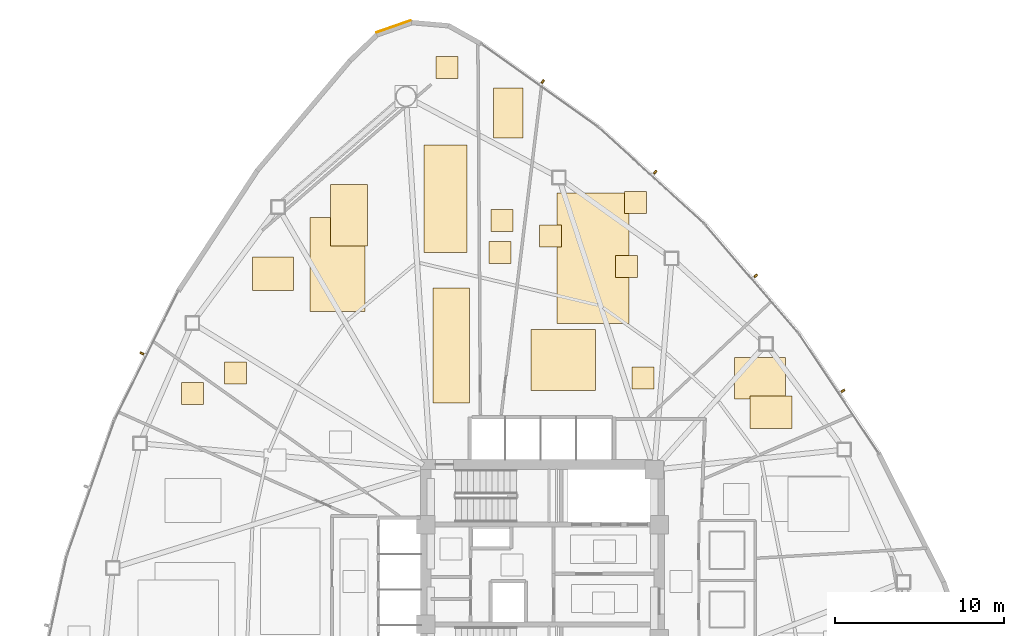
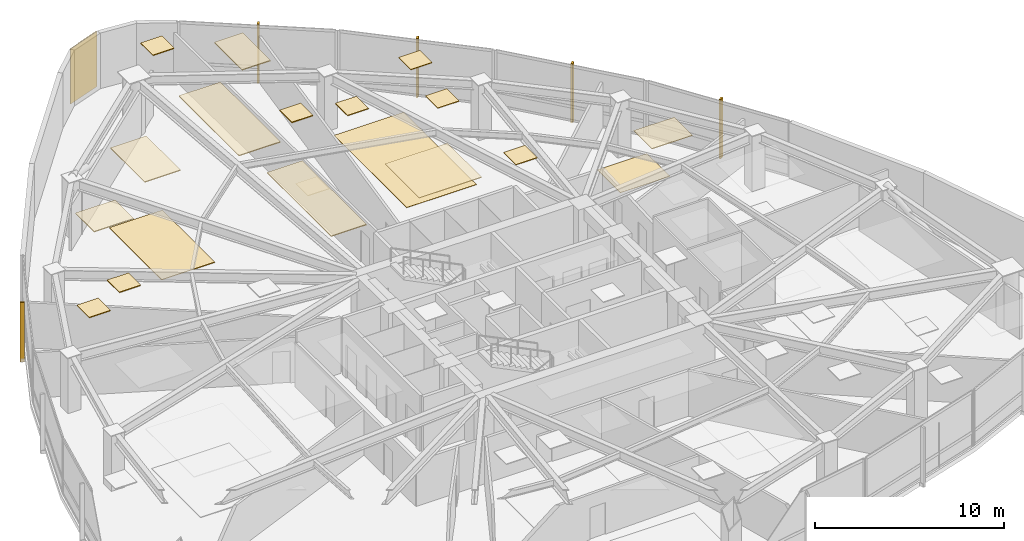
# One storey, part 18 of 18: 20 coverings, 5 shading devices.
"""IFC4 building model written with IfcOpenShell, lengths in metres."""

from ifc_helpers import new_model, si_unit, direction, frame, origin, origin_2d, place, context, subcontext, project, spatial, polyline, rectangle, outline, extrude, source, transform, mapped, material, layer, layer_set, type_object, type_shapes, element, save


model = new_model("IFC4")

# Units and contexts
model_context = context("Model", 3, precision=1e-05, world=origin(), true_north=direction((0.0, 1.0)))
body_context = subcontext(model_context, "Body", "Model", "MODEL_VIEW")
ifc_project = project(units=[si_unit("LENGTHUNIT", "METRE"), si_unit("AREAUNIT", "SQUARE_METRE"), si_unit("VOLUMEUNIT", "CUBIC_METRE"), si_unit("PLANEANGLEUNIT", "RADIAN"), si_unit("MASSUNIT", "GRAM", prefix="KILO")], contexts=[model_context])

# Site, building, storey
site_placement = place(None, origin())
site = spatial("IfcSite", under=ifc_project, at=site_placement, CompositionType="ELEMENT")
building_placement = place(site_placement, origin())
building = spatial("IfcBuilding", under=site, at=building_placement, Name="Tavelor Broadcast Tower", CompositionType="ELEMENT")
storey_placement = place(building_placement, frame((0.0, 0.0, 54.89990234375)))
storey = spatial("IfcBuildingStorey", under=building, at=storey_placement, Name="L12", CompositionType="ELEMENT", Elevation=54.89990234375)

# Coverings
ifc_material_1 = material(Name="Copper-Bronze Anodized Aluminium", Category="aluminium")
ifc_layer_1 = layer(ifc_material_1, 0.050048828125)
ifc_layer_set_1 = layer_set([ifc_layer_1], Name="Copper-Bronze Anodized Aluminium")
covering_type_1 = type_object("IfcCoveringType", Name="Champagne-Bronze Corner Pier Metal Cladding 50 mm", PredefinedType="CLADDING", material=ifc_layer_set_1)
covering_1_placement = place(storey_placement, frame((41.201416015625, 77.40869140625, 0.02001953125), z_axis=(0.0, 0.0, 1.0), x_axis=(-0.943512164028, -0.331337888463, 0.0)))
element("IfcCovering", 1, at=covering_1_placement, inside=storey, type_object=covering_type_1, Name="L12 Champagne-Bronze Corner Cladding 03", PredefinedType="CLADDING", context=body_context, shape_type="SweptSolid", body=[
    extrude(rectangle(XDim=2.14208984375, YDim=0.050048828125, at=origin_2d()), origin(), (0.0, 0.0, 1.0), 3.56005859375),
])
ifc_material_2 = material(Name="Acoustic Nylon Carpet Tile")
ifc_layer_2 = layer(ifc_material_2, 0.02001953125)
ifc_layer_set_2 = layer_set([ifc_layer_2], Name="Acoustic Nylon Carpet Tile")
covering_type_2 = type_object("IfcCoveringType", Name="Heavy-Duty Acoustic Broadcast Carpet Tile 20 mm", PredefinedType="FLOORING", material=ifc_layer_set_2)
covering_2_placement = place(storey_placement, origin())
element("IfcCovering", 2, at=covering_2_placement, inside=storey, type_object=covering_type_2, Name="L12 Broadcast Floor Finish 0165", PredefinedType="FLOORING", context=body_context, shape_type="SweptSolid", body=[
    extrude(outline(polyline([(50.851806640625, 59.84765625), (55.11669921875, 59.84765625), (55.11669921875, 67.553466796875), (50.851806640625, 67.553466796875), (50.851806640625, 59.84765625)])), origin(), (0.0, 0.0, 1.0), 0.02001953125),
])
covering_3_placement = place(storey_placement, origin())
element("IfcCovering", 3, at=covering_3_placement, inside=storey, type_object=covering_type_2, Name="L12 Broadcast Floor Finish 0166", PredefinedType="FLOORING", context=body_context, shape_type="SweptSolid", body=[
    extrude(outline(polyline([(61.34326171875, 55.376708984375), (64.369140625, 55.376708984375), (64.369140625, 57.819580078125), (61.34326171875, 57.819580078125), (61.34326171875, 55.376708984375)])), origin(), (0.0, 0.0, 1.0), 0.02001953125),
])
ifc_material_3 = material(Name="Acoustic Hardwood Studio Flooring", Category="wood")
ifc_layer_3 = layer(ifc_material_3, 0.034912109375)
ifc_layer_set_3 = layer_set([ifc_layer_3], Name="Acoustic Hardwood Studio Flooring")
covering_type_3 = type_object("IfcCoveringType", Name="Isolated Studio Acoustic Elastomeric Floor Finish 35 mm", PredefinedType="FLOORING", material=ifc_layer_set_3)
covering_4_placement = place(storey_placement, origin())
element("IfcCovering", 4, at=covering_4_placement, inside=storey, type_object=covering_type_3, Name="L12 Broadcast Floor Finish 0163", PredefinedType="FLOORING", context=body_context, shape_type="SweptSolid", body=[
    extrude(outline(polyline([(36.264404296875, 60.55322265625), (39.514404296875, 60.55322265625), (39.514404296875, 66.10400390625), (36.264404296875, 66.10400390625), (36.264404296875, 60.55322265625)])), origin(), (0.0, 0.0, 1.0), 0.03515625),
])
covering_5_placement = place(storey_placement, origin())
element("IfcCovering", 5, at=covering_5_placement, inside=storey, type_object=covering_type_3, Name="L12 Broadcast Floor Finish 0164", PredefinedType="FLOORING", context=body_context, shape_type="SweptSolid", body=[
    extrude(outline(polyline([(46.850830078125, 63.39892578125), (48.15087890625, 63.39892578125), (48.15087890625, 64.698974609375), (46.850830078125, 64.698974609375), (46.850830078125, 63.39892578125)])), origin(), (0.0, 0.0, 1.0), 0.03515625),
])
ifc_material_4 = material(Name="Acoustic Perforated Timber Baffle", Category="wood")
ifc_layer_4 = layer(ifc_material_4, 0.054931640625)
ifc_layer_set_4 = layer_set([ifc_layer_4], Name="Acoustic Perforated Timber Baffle")
covering_type_4 = type_object("IfcCoveringType", Name="Micro-Perforated Acoustic Baffle Studio Ceiling 55 mm", PredefinedType="CEILING", material=ifc_layer_set_4)
covering_6_placement = place(storey_placement, frame((0.0, 0.0, 3.545166015625)))
element("IfcCovering", 6, at=covering_6_placement, inside=storey, type_object=covering_type_4, Name="L12 Suspended Acoustic Ceiling 0459", PredefinedType="CEILING", context=body_context, shape_type="SweptSolid", body=[
    extrude(outline(polyline([(28.65625, 55.0517578125), (29.956298828125, 55.0517578125), (29.956298828125, 56.351806640625), (28.65625, 56.351806640625), (28.65625, 55.0517578125)])), origin(), (0.0, 0.0, 1.0), 0.054931640625),
])
covering_7_placement = place(storey_placement, frame((0.0, 0.0, 3.545166015625)))
element("IfcCovering", 7, at=covering_7_placement, inside=storey, type_object=covering_type_4, Name="L12 Suspended Acoustic Ceiling 0460", PredefinedType="CEILING", context=body_context, shape_type="SweptSolid", body=[
    extrude(outline(polyline([(32.84033203125, 61.7822265625), (35.2724609375, 61.7822265625), (35.2724609375, 63.76416015625), (32.84033203125, 63.76416015625), (32.84033203125, 61.7822265625)])), origin(), (0.0, 0.0, 1.0), 0.054931640625),
])
covering_8_placement = place(storey_placement, frame((0.0, 0.0, 3.545166015625)))
element("IfcCovering", 8, at=covering_8_placement, inside=storey, type_object=covering_type_4, Name="L12 Suspended Acoustic Ceiling 0461", PredefinedType="CEILING", context=body_context, shape_type="SweptSolid", body=[
    extrude(outline(polyline([(37.46337890625, 64.42236328125), (39.65283203125, 64.42236328125), (39.65283203125, 68.059814453125), (37.46337890625, 68.059814453125), (37.46337890625, 64.42236328125)])), origin(), (0.0, 0.0, 1.0), 0.054931640625),
])
covering_9_placement = place(storey_placement, frame((0.0, 0.0, 3.545166015625)))
element("IfcCovering", 9, at=covering_9_placement, inside=storey, type_object=covering_type_4, Name="L12 Suspended Acoustic Ceiling 0462", PredefinedType="CEILING", context=body_context, shape_type="SweptSolid", body=[
    extrude(outline(polyline([(43.001220703125, 64.03515625), (45.542724609375, 64.03515625), (45.542724609375, 70.407470703125), (43.001220703125, 70.407470703125), (43.001220703125, 64.03515625)])), origin(), (0.0, 0.0, 1.0), 0.054931640625),
])
covering_10_placement = place(storey_placement, frame((0.0, 0.0, 3.545166015625)))
element("IfcCovering", 10, at=covering_10_placement, inside=storey, type_object=covering_type_4, Name="L12 Suspended Acoustic Ceiling 0463", PredefinedType="CEILING", context=body_context, shape_type="SweptSolid", body=[
    extrude(outline(polyline([(43.692626953125, 74.341552734375), (44.99267578125, 74.341552734375), (44.99267578125, 75.6416015625), (43.692626953125, 75.6416015625), (43.692626953125, 74.341552734375)])), origin(), (0.0, 0.0, 1.0), 0.054931640625),
])
covering_11_placement = place(storey_placement, frame((0.0, 0.0, 3.545166015625)))
element("IfcCovering", 11, at=covering_11_placement, inside=storey, type_object=covering_type_4, Name="L12 Suspended Acoustic Ceiling 0464", PredefinedType="CEILING", context=body_context, shape_type="SweptSolid", body=[
    extrude(outline(polyline([(43.51171875, 55.144775390625), (45.674560546875, 55.144775390625), (45.674560546875, 61.934326171875), (43.51171875, 61.934326171875), (43.51171875, 55.144775390625)])), origin(), (0.0, 0.0, 1.0), 0.054931640625),
])
covering_12_placement = place(storey_placement, frame((0.0, 0.0, 3.545166015625)))
element("IfcCovering", 12, at=covering_12_placement, inside=storey, type_object=covering_type_4, Name="L12 Suspended Acoustic Ceiling 0466", PredefinedType="CEILING", context=body_context, shape_type="SweptSolid", body=[
    extrude(outline(polyline([(31.20751953125, 56.26708984375), (32.50732421875, 56.26708984375), (32.50732421875, 57.56689453125), (31.20751953125, 57.56689453125), (31.20751953125, 56.26708984375)])), origin(), (0.0, 0.0, 1.0), 0.054931640625),
])
covering_13_placement = place(storey_placement, frame((0.0, 0.0, 3.545166015625)))
element("IfcCovering", 13, at=covering_13_placement, inside=storey, type_object=covering_type_4, Name="L12 Suspended Acoustic Ceiling 0467", PredefinedType="CEILING", context=body_context, shape_type="SweptSolid", body=[
    extrude(outline(polyline([(46.960693359375, 65.29248046875), (48.2607421875, 65.29248046875), (48.2607421875, 66.592529296875), (46.960693359375, 66.592529296875), (46.960693359375, 65.29248046875)])), origin(), (0.0, 0.0, 1.0), 0.054931640625),
])
covering_14_placement = place(storey_placement, frame((0.0, 0.0, 3.545166015625)))
element("IfcCovering", 14, at=covering_14_placement, inside=storey, type_object=covering_type_4, Name="L12 Suspended Acoustic Ceiling 0468", PredefinedType="CEILING", context=body_context, shape_type="SweptSolid", body=[
    extrude(outline(polyline([(47.105224609375, 70.80712890625), (48.849853515625, 70.80712890625), (48.849853515625, 73.757080078125), (47.105224609375, 73.757080078125), (47.105224609375, 70.80712890625)])), origin(), (0.0, 0.0, 1.0), 0.054931640625),
])
ifc_material_5 = material(Name="Acoustic Mineral Fibre Tile")
ifc_layer_5 = layer(ifc_material_5, 0.0400390625)
ifc_layer_set_5 = layer_set([ifc_layer_5], Name="Acoustic Mineral Fibre Tile")
covering_type_5 = type_object("IfcCoveringType", Name="Suspended Acoustic Mineral-Fibre Office Ceiling 40 mm", PredefinedType="CEILING", material=ifc_layer_set_5)
covering_15_placement = place(storey_placement, frame((0.0, 0.0, 3.56005859375)))
element("IfcCovering", 15, at=covering_15_placement, inside=storey, type_object=covering_type_5, Name="L12 Suspended Acoustic Ceiling 0469", PredefinedType="CEILING", context=body_context, shape_type="SweptSolid", body=[
    extrude(outline(polyline([(54.859619140625, 66.356201171875), (56.15966796875, 66.356201171875), (56.15966796875, 67.65625), (54.859619140625, 67.65625), (54.859619140625, 66.356201171875)])), origin(), (0.0, 0.0, 1.0), 0.0400390625),
])
covering_16_placement = place(storey_placement, frame((0.0, 0.0, 3.56005859375)))
element("IfcCovering", 16, at=covering_16_placement, inside=storey, type_object=covering_type_5, Name="L12 Suspended Acoustic Ceiling 0470", PredefinedType="CEILING", context=body_context, shape_type="SweptSolid", body=[
    extrude(outline(polyline([(55.294921875, 55.96728515625), (56.594970703125, 55.96728515625), (56.594970703125, 57.267333984375), (55.294921875, 57.267333984375), (55.294921875, 55.96728515625)])), origin(), (0.0, 0.0, 1.0), 0.0400390625),
])
covering_17_placement = place(storey_placement, frame((0.0, 0.0, 3.56005859375)))
element("IfcCovering", 17, at=covering_17_placement, inside=storey, type_object=covering_type_5, Name="L12 Suspended Acoustic Ceiling 0471", PredefinedType="CEILING", context=body_context, shape_type="SweptSolid", body=[
    extrude(outline(polyline([(49.318115234375, 55.872314453125), (53.139892578125, 55.872314453125), (53.139892578125, 59.500732421875), (49.318115234375, 59.500732421875), (49.318115234375, 55.872314453125)])), origin(), (0.0, 0.0, 1.0), 0.0400390625),
])
covering_18_placement = place(storey_placement, frame((0.0, 0.0, 3.56005859375)))
element("IfcCovering", 18, at=covering_18_placement, inside=storey, type_object=covering_type_5, Name="L12 Suspended Acoustic Ceiling 0472", PredefinedType="CEILING", context=body_context, shape_type="SweptSolid", body=[
    extrude(outline(polyline([(49.8330078125, 64.360595703125), (51.1328125, 64.360595703125), (51.1328125, 65.660400390625), (49.8330078125, 65.660400390625), (49.8330078125, 64.360595703125)])), origin(), (0.0, 0.0, 1.0), 0.0400390625),
])
covering_19_placement = place(storey_placement, frame((0.0, 0.0, 3.56005859375)))
element("IfcCovering", 19, at=covering_19_placement, inside=storey, type_object=covering_type_5, Name="L12 Suspended Acoustic Ceiling 0473", PredefinedType="CEILING", context=body_context, shape_type="SweptSolid", body=[
    extrude(outline(polyline([(54.32470703125, 62.56884765625), (55.62451171875, 62.56884765625), (55.62451171875, 63.868896484375), (54.32470703125, 63.868896484375), (54.32470703125, 62.56884765625)])), origin(), (0.0, 0.0, 1.0), 0.0400390625),
])
covering_20_placement = place(storey_placement, frame((0.0, 0.0, 3.56005859375)))
element("IfcCovering", 20, at=covering_20_placement, inside=storey, type_object=covering_type_5, Name="L12 Suspended Acoustic Ceiling 0474", PredefinedType="CEILING", context=body_context, shape_type="SweptSolid", body=[
    extrude(outline(polyline([(62.264892578125, 53.637451171875), (64.74755859375, 53.637451171875), (64.74755859375, 55.5673828125), (62.264892578125, 55.5673828125), (62.264892578125, 53.637451171875)])), origin(), (0.0, 0.0, 1.0), 0.0400390625),
])

# Shading devices
ifc_material_6 = material(Name="Kiln-Fired Glazed Terracotta", Category="masonry")
shading_device_type = type_object("IfcShadingDeviceType", Name="Extruded Terracotta Baguette Sun-Screen 110x240", PredefinedType="JALOUSIE", material=ifc_material_6)
shared_shape = source(origin(), body_context, "Body", "SweptSolid", [
    extrude(rectangle(XDim=0.110107421875, YDim=0.239990234375, at=origin_2d()), origin(), (0.0, 0.0, 1.0), 3.840087890625),
])
type_shapes(shading_device_type, [shared_shape])
for number, where, z_axis, x_axis, name in (
    (21, (26.30810546875, 58.076416015625, -0.259765625), (0.0, 0.0, 1.0), (-0.442758231039, -0.896641036785, 0.0), "L12 Terracotta Baguette Fin 97"),
    (22, (67.7705078125, 55.862060546875, -0.259765625), (0.0, 0.0, 1.0), (-0.555134800412, 0.831760394207, 0.0), "L12 Terracotta Baguette Fin 105"),
    (23, (62.60888671875, 62.662109375, -0.259765625), (0.0, 0.0, 1.0), (-0.651833725301, 0.758361915289, 0.0), "L12 Terracotta Baguette Fin 106"),
    (24, (56.662353515625, 68.78759765625, -0.259765625), (0.0, 0.0, 1.0), (-0.738808303288, 0.673915640857, 0.0), "L12 Terracotta Baguette Fin 107"),
    (25, (50.018310546875, 74.1484375, -0.259765625), (0.0, 0.0, 1.0), (-0.814925538797, 0.579565670322, 0.0), "L12 Terracotta Baguette Fin 108"),
):
    element("IfcShadingDevice", number, at=place(storey_placement, frame(where, z_axis=z_axis, x_axis=x_axis)), inside=storey, type_object=shading_device_type, Name=name, PredefinedType="JALOUSIE", context=body_context, shape_type="MappedRepresentation", body=[
        mapped(shared_shape, transform((0.0, 0.0, 0.0), scale=1.0)),
    ])

save(model, "model.ifc")
